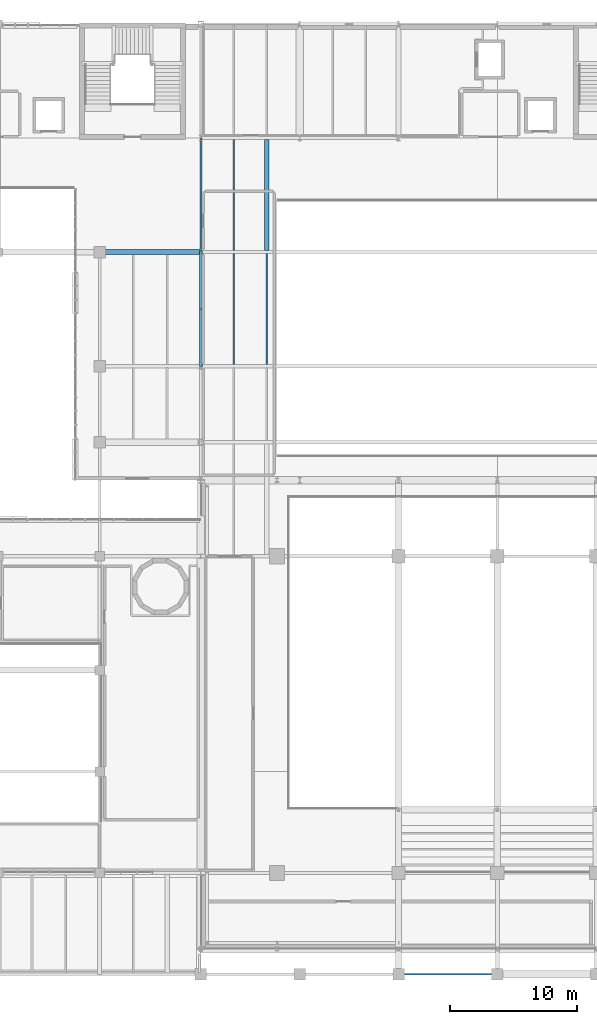
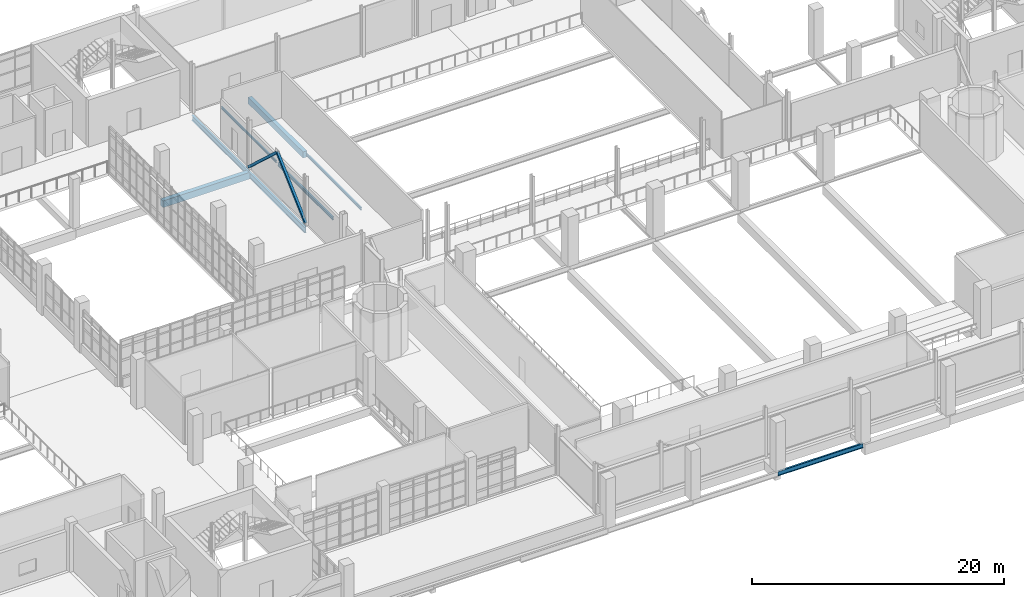
# One storey, part 34 of 102: 8 beams, 2 members.
"""IFC4 building model written with IfcOpenShell, lengths in metres."""

from ifc_helpers import new_model, si_unit, derived_unit, direction, frame, origin, origin_2d, place, context, subcontext, project, spatial, rectangle, hollow_rectangle, i_section, extrude, material, material_profile, profile_set, type_object, element, save


model = new_model("IFC4")

# Units and contexts
model_context = context("Model", 3, precision=1e-05, world=origin(), true_north=direction((0.0, 1.0)))
body_context = subcontext(model_context, "Body", "Model", "MODEL_VIEW")
ifc_project = project(units=[si_unit("LENGTHUNIT", "METRE"), si_unit("AREAUNIT", "SQUARE_METRE"), si_unit("VOLUMEUNIT", "CUBIC_METRE"), si_unit("PLANEANGLEUNIT", "RADIAN"), si_unit("MASSUNIT", "GRAM", prefix="KILO"), derived_unit("THERMALTRANSMITTANCEUNIT", [(si_unit("POWERUNIT", "WATT"), 1), (si_unit("LENGTHUNIT", "METRE"), -2), (si_unit("THERMODYNAMICTEMPERATUREUNIT", "KELVIN"), -1)])], contexts=[model_context])

# Site, building, storey
site_placement = place(None, origin())
site = spatial("IfcSite", under=ifc_project, at=site_placement, CompositionType="ELEMENT")
building_placement = place(site_placement, origin())
building = spatial("IfcBuilding", under=site, at=building_placement, Name="Nallur Shell Playhouse", CompositionType="ELEMENT")
storey_placement = place(building_placement, frame((0.0, 0.0, 15.0)))
storey = spatial("IfcBuildingStorey", under=building, at=storey_placement, Name="L04", CompositionType="ELEMENT", Elevation=15.0)

# Beams
ifc_material_1 = material(Name="Steel E250", Category="steel")
ifc_material_profile_1 = material_profile(ifc_material_1, i_section(OverallWidth=0.110107421875, OverallDepth=0.22509765625, WebThickness=0.006591796875, FlangeThickness=0.01171875, FilletRadius=0.011962890625, at=origin_2d()), Name="ISMB 225")
ifc_profile_set_1 = profile_set([ifc_material_profile_1], Name="Steel E250")
beam_type_1 = type_object("IfcBeamType", Name="BM-JST-ISMB225", PredefinedType="JOIST", material=ifc_profile_set_1)
beam_1_placement = place(storey_placement, frame((66.60009765625, 65.123046875, -0.37255859375), z_axis=(0.0, 1.0, 0.0), x_axis=(-1.0, 0.0, 0.0)))
element("IfcBeam", 1, at=beam_1_placement, inside=storey, type_object=beam_type_1, Name="L04 secondary joist 8-H-917", PredefinedType="JOIST", context=body_context, shape_type="SweptSolid", body=[
    extrude(i_section(OverallWidth=0.110107421875, OverallDepth=0.22509765625, WebThickness=0.006591796875, FlangeThickness=0.01171875, FilletRadius=0.011962890625, at=origin_2d()), origin(), (0.0, 0.0, 1.0), 8.75390625),
])
ifc_material_profile_2 = material_profile(ifc_material_1, i_section(OverallWidth=0.125, OverallDepth=0.25, WebThickness=0.0068359375, FlangeThickness=0.012451171875, FilletRadius=0.012939453125, at=origin_2d()), Name="ISMB 250")
ifc_profile_set_2 = profile_set([ifc_material_profile_2], Name="Steel E250")
beam_type_2 = type_object("IfcBeamType", Name="BM-JST-ISMB250", PredefinedType="JOIST", material=ifc_profile_set_2)
beam_2_placement = place(storey_placement, frame((69.199951171875, 56.123046875, -0.385009765625), z_axis=(0.0, 1.0, 0.0), x_axis=(-1.0, 0.0, 0.0)))
element("IfcBeam", 2, at=beam_2_placement, inside=storey, type_object=beam_type_2, Name="L04 secondary joist 8-G-916", PredefinedType="JOIST", context=body_context, shape_type="SweptSolid", body=[
    extrude(i_section(OverallWidth=0.125, OverallDepth=0.25, WebThickness=0.0068359375, FlangeThickness=0.012451171875, FilletRadius=0.012939453125, at=origin_2d()), origin(), (0.0, 0.0, 1.0), 8.75390625),
])
ifc_material_profile_3 = material_profile(ifc_material_1, i_section(OverallWidth=0.139892578125, OverallDepth=0.300048828125, WebThickness=0.0078125, FlangeThickness=0.01318359375, FilletRadius=0.013916015625, at=origin_2d()), Name="ISMB 300")
ifc_profile_set_3 = profile_set([ifc_material_profile_3], Name="Steel E250")
beam_type_3 = type_object("IfcBeamType", Name="BM-JST-ISMB300", PredefinedType="JOIST", material=ifc_profile_set_3)
beam_3_placement = place(storey_placement, frame((66.60009765625, 56.123046875, -0.409912109375), z_axis=(0.0, 1.0, 0.0), x_axis=(-1.0, 0.0, 0.0)))
element("IfcBeam", 3, at=beam_3_placement, inside=storey, type_object=beam_type_3, Name="L04 secondary joist 8-G-915", PredefinedType="JOIST", context=body_context, shape_type="SweptSolid", body=[
    extrude(i_section(OverallWidth=0.139892578125, OverallDepth=0.300048828125, WebThickness=0.0078125, FlangeThickness=0.01318359375, FilletRadius=0.013916015625, at=origin_2d()), origin(), (0.0, 0.0, 1.0), 8.75390625),
])
ifc_material_2 = material(Name="Concrete M30", Category="concrete")
ifc_material_profile_4 = material_profile(ifc_material_2, rectangle(XDim=0.35009765625, YDim=0.60009765625, at=origin_2d()), Name="RC 350x600")
ifc_profile_set_4 = profile_set([ifc_material_profile_4], Name="Concrete M30")
beam_type_4 = type_object("IfcBeamType", Name="BM-RC-350x600", PredefinedType="JOIST", material=ifc_profile_set_4)
beam_4_placement = place(storey_placement, frame((69.199951171875, 65.123046875, -0.56005859375), z_axis=(0.0, 1.0, 0.0), x_axis=(-1.0, 0.0, 0.0)))
element("IfcBeam", 4, at=beam_4_placement, inside=storey, type_object=beam_type_4, Name="L04 secondary joist 8-H-918", PredefinedType="JOIST", context=body_context, shape_type="SweptSolid", body=[
    extrude(rectangle(XDim=0.35009765625, YDim=0.60009765625, at=origin_2d()), origin(), (0.0, 0.0, 1.0), 8.75390625),
])
ifc_material_3 = material(Name="Concrete M35", Category="concrete")
ifc_material_profile_5 = material_profile(ifc_material_3, rectangle(XDim=0.39990234375, YDim=0.64990234375, at=origin_2d()), Name="RC 400x650")
ifc_profile_set_5 = profile_set([ifc_material_profile_5], Name="Concrete M35")
beam_type_5 = type_object("IfcBeamType", Name="BM-RC-400x650", PredefinedType="BEAM", material=ifc_profile_set_5)
beam_5_placement = place(storey_placement, frame((56.0, 65.0, -0.5849609375), z_axis=(1.0, 0.0, 0.0), x_axis=(0.0, 1.0, 0.0)))
element("IfcBeam", 5, at=beam_5_placement, inside=storey, type_object=beam_type_5, Name="L04 girder X-H-799", PredefinedType="BEAM", context=body_context, shape_type="SweptSolid", body=[
    extrude(rectangle(XDim=0.39990234375, YDim=0.64990234375, at=origin_2d()), origin(), (0.0, 0.0, 1.0), 8.0),
])
ifc_material_4 = material(Name="Steel E350", Category="steel")
ifc_material_profile_6 = material_profile(ifc_material_4, i_section(OverallWidth=0.14990234375, OverallDepth=0.449951171875, WebThickness=0.009521484375, FlangeThickness=0.017333984375, FilletRadius=0.014892578125, at=origin_2d()), Name="ISMB 450")
ifc_profile_set_6 = profile_set([ifc_material_profile_6], Name="Steel E350")
beam_type_6 = type_object("IfcBeamType", Name="BM-ST-ISMB450", PredefinedType="BEAM", material=ifc_profile_set_6)
beam_6_placement = place(storey_placement, frame((79.60009765625, 8.0, -0.485107421875), z_axis=(1.0, 0.0, 0.0), x_axis=(0.0, 1.0, 0.0)))
element("IfcBeam", 6, at=beam_6_placement, inside=storey, type_object=beam_type_6, Name="L04 girder X-A-747", PredefinedType="BEAM", context=body_context, shape_type="SweptSolid", body=[
    extrude(i_section(OverallWidth=0.14990234375, OverallDepth=0.449951171875, WebThickness=0.009521484375, FlangeThickness=0.017333984375, FilletRadius=0.014892578125, at=origin_2d()), origin(), (0.0, 0.0, 1.0), 7.7998046875),
])
ifc_material_profile_7 = material_profile(ifc_material_4, i_section(OverallWidth=0.179931640625, OverallDepth=0.5, WebThickness=0.01025390625, FlangeThickness=0.01708984375, FilletRadius=0.01708984375, at=origin_2d()), Name="ISMB 500")
ifc_profile_set_7 = profile_set([ifc_material_profile_7], Name="Steel E350")
beam_type_7 = type_object("IfcBeamType", Name="BM-ST-ISMB500", PredefinedType="BEAM", material=ifc_profile_set_7)
beam_7_placement = place(storey_placement, frame((64.0, 65.0, -0.510009765625), z_axis=(0.0, 1.0, 0.0), x_axis=(-1.0, 0.0, 0.0)))
element("IfcBeam", 7, at=beam_7_placement, inside=storey, type_object=beam_type_7, Name="L04 girder Y-8-842", PredefinedType="BEAM", context=body_context, shape_type="SweptSolid", body=[
    extrude(i_section(OverallWidth=0.179931640625, OverallDepth=0.5, WebThickness=0.01025390625, FlangeThickness=0.01708984375, FilletRadius=0.01708984375, at=origin_2d()), origin(), (0.0, 0.0, 1.0), 9.0),
])
ifc_material_profile_8 = material_profile(ifc_material_4, i_section(OverallWidth=0.18994140625, OverallDepth=0.550048828125, WebThickness=0.01123046875, FlangeThickness=0.019287109375, FilletRadius=0.01806640625, at=origin_2d()), Name="ISMB 550")
ifc_profile_set_8 = profile_set([ifc_material_profile_8], Name="Steel E350")
beam_type_8 = type_object("IfcBeamType", Name="BM-ST-ISMB550", PredefinedType="BEAM", material=ifc_profile_set_8)
beam_8_placement = place(storey_placement, frame((64.0, 56.0, -0.534912109375), z_axis=(0.0, 1.0, 0.0), x_axis=(-1.0, 0.0, 0.0)))
element("IfcBeam", 8, at=beam_8_placement, inside=storey, type_object=beam_type_8, Name="L04 girder Y-8-841", PredefinedType="BEAM", context=body_context, shape_type="SweptSolid", body=[
    extrude(i_section(OverallWidth=0.18994140625, OverallDepth=0.550048828125, WebThickness=0.01123046875, FlangeThickness=0.019287109375, FilletRadius=0.01806640625, at=origin_2d()), origin(), (0.0, 0.0, 1.0), 9.0),
])

# Members
ifc_material_profile_9 = material_profile(ifc_material_4, hollow_rectangle(XDim=0.219970703125, YDim=0.219970703125, WallThickness=0.011962890625, at=origin_2d()), Name="SHS 220x220x12")
ifc_profile_set_9 = profile_set([ifc_material_profile_9], Name="Steel E350")
member_type = type_object("IfcMemberType", Name="MB-FT-BRACE2", PredefinedType="BRACE", material=ifc_profile_set_9)
for number, where, z_axis, x_axis, name in (
    (9, (64.0, 56.0, 0.14990234375), (0.0, 0.735104589398, 0.677953717186), (-1.0, 0.0, 0.0), "Stage fly tower concentric brace BR-FT-L04-025"),
    (10, (64.0, 65.0, 0.14990234375), (0.0, -0.735104589398, 0.677953717186), (1.0, 0.0, 0.0), "Stage fly tower concentric brace BR-FT-L04-026"),
):
    element("IfcMember", number, at=place(storey_placement, frame(where, z_axis=z_axis, x_axis=x_axis)), inside=storey, type_object=member_type, Name=name, PredefinedType="BRACE", context=body_context, shape_type="SweptSolid", body=[
        extrude(hollow_rectangle(XDim=0.219970703125, YDim=0.219970703125, WallThickness=0.011962890625, at=origin_2d()), origin(), (0.0, 0.0, 1.0), 6.12158203125),
    ])

save(model, "model.ifc")
